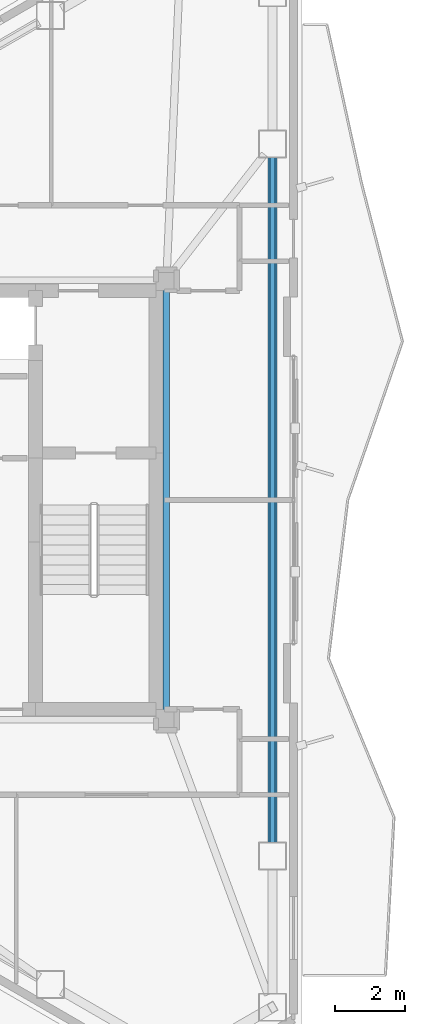
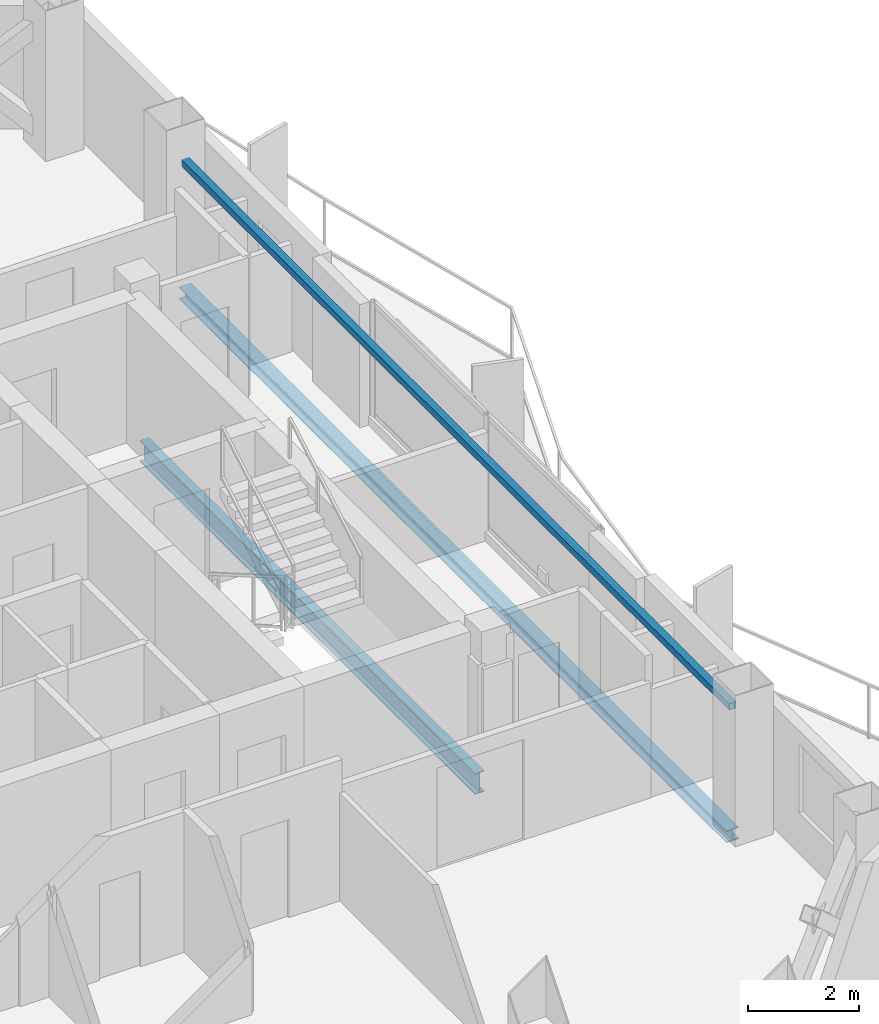
# One storey, part 11 of 18: 3 beams.
"""IFC4 building model written with IfcOpenShell, lengths in metres."""

from ifc_helpers import new_model, si_unit, direction, frame, origin, origin_2d, place, context, subcontext, project, spatial, hollow_rectangle, i_section, extrude, material, material_profile, profile_set, type_object, element, save


model = new_model("IFC4")

# Units and contexts
model_context = context("Model", 3, precision=1e-05, world=origin(), true_north=direction((0.0, 1.0)))
body_context = subcontext(model_context, "Body", "Model", "MODEL_VIEW")
ifc_project = project(units=[si_unit("LENGTHUNIT", "METRE"), si_unit("AREAUNIT", "SQUARE_METRE"), si_unit("VOLUMEUNIT", "CUBIC_METRE"), si_unit("PLANEANGLEUNIT", "RADIAN"), si_unit("MASSUNIT", "GRAM", prefix="KILO")], contexts=[model_context])

# Site, building, storey
site_placement = place(None, origin())
site = spatial("IfcSite", under=ifc_project, at=site_placement, CompositionType="ELEMENT")
building_placement = place(site_placement, origin())
building = spatial("IfcBuilding", under=site, at=building_placement, Name="Mersakhor Tower and Convention Hall", CompositionType="ELEMENT")
storey_placement = place(building_placement, frame((0.0, 0.0, 239.699951171875)))
storey = spatial("IfcBuildingStorey", under=building, at=storey_placement, Name="L67", CompositionType="ELEMENT", Elevation=239.699951171875)

# Beams
ifc_material_1 = material(Name="Steel S355", Category="steel")
ifc_material_profile_1 = material_profile(ifc_material_1, i_section(OverallWidth=0.19140625, OverallDepth=0.4599609375, WebThickness=0.010009765625, FlangeThickness=0.01611328125, at=origin_2d()), Name="UB 457x191x82")
ifc_profile_set_1 = profile_set([ifc_material_profile_1], Name="Steel S355")
beam_type_1 = type_object("IfcBeamType", Name="BM-FB-457", PredefinedType="BEAM", material=ifc_profile_set_1)
beam_1_placement = place(storey_placement, frame((36.10009765625, 32.77001953125, -0.449951171875), z_axis=(0.0, -1.0, 0.0), x_axis=(1.0, 0.0, 0.0)))
element("IfcBeam", 1, at=beam_1_placement, inside=storey, type_object=beam_type_1, Name="L67 Core Ring Tie Beam CRB-3", PredefinedType="BEAM", context=body_context, shape_type="SweptSolid", body=[
    extrude(i_section(OverallWidth=0.19140625, OverallDepth=0.4599609375, WebThickness=0.010009765625, FlangeThickness=0.01611328125, at=origin_2d()), origin(), (0.0, 0.0, 1.0), 12.0400390625),
])
ifc_material_2 = material(Name="Steel S355", Category="steel")
ifc_material_profile_2 = material_profile(ifc_material_2, hollow_rectangle(XDim=0.14990234375, YDim=0.14990234375, WallThickness=0.010009765625, at=origin_2d()), Name="SHS 150x150x10")
ifc_profile_set_2 = profile_set([ifc_material_profile_2], Name="Steel S355")
beam_type_2 = type_object("IfcBeamType", Name="BM-GRT-SHS150", PredefinedType="USERDEFINED", material=ifc_profile_set_2)
beam_2_placement = place(storey_placement, frame((39.142822265625, 36.580810546875, 2.47998046875), z_axis=(0.0, -1.0, 0.0), x_axis=(1.0, 0.0, 0.0)))
element("IfcBeam", 2, at=beam_2_placement, inside=storey, type_object=beam_type_2, Name="L67 Facade Support Girt GRT-F2", ObjectType="GIRT", PredefinedType="USERDEFINED", context=body_context, shape_type="SweptSolid", body=[
    extrude(hollow_rectangle(XDim=0.14990234375, YDim=0.14990234375, WallThickness=0.010009765625, at=origin_2d()), origin(), (0.0, 0.0, 1.0), 19.66162109375),
])
ifc_material_3 = material(Name="Steel S355", Category="steel")
ifc_material_profile_3 = material_profile(ifc_material_3, i_section(OverallWidth=0.25634765625, OverallDepth=0.26025390625, WebThickness=0.01025390625, FlangeThickness=0.017333984375, at=origin_2d()), Name="UC 254x254x89")
ifc_profile_set_3 = profile_set([ifc_material_profile_3], Name="Steel S355")
beam_type_3 = type_object("IfcBeamType", Name="BM-SPD-UC254", PredefinedType="SPANDREL", material=ifc_profile_set_3)
beam_3_placement = place(storey_placement, frame((39.142822265625, 36.580810546875, -0.35009765625), z_axis=(0.0, -1.0, 0.0), x_axis=(1.0, 0.0, 0.0)))
element("IfcBeam", 3, at=beam_3_placement, inside=storey, type_object=beam_type_3, Name="L67 Perimeter Spandrel Beam SPB-06", PredefinedType="SPANDREL", context=body_context, shape_type="SweptSolid", body=[
    extrude(i_section(OverallWidth=0.25634765625, OverallDepth=0.26025390625, WebThickness=0.01025390625, FlangeThickness=0.017333984375, at=origin_2d()), origin(), (0.0, 0.0, 1.0), 19.66162109375),
])

save(model, "model.ifc")
